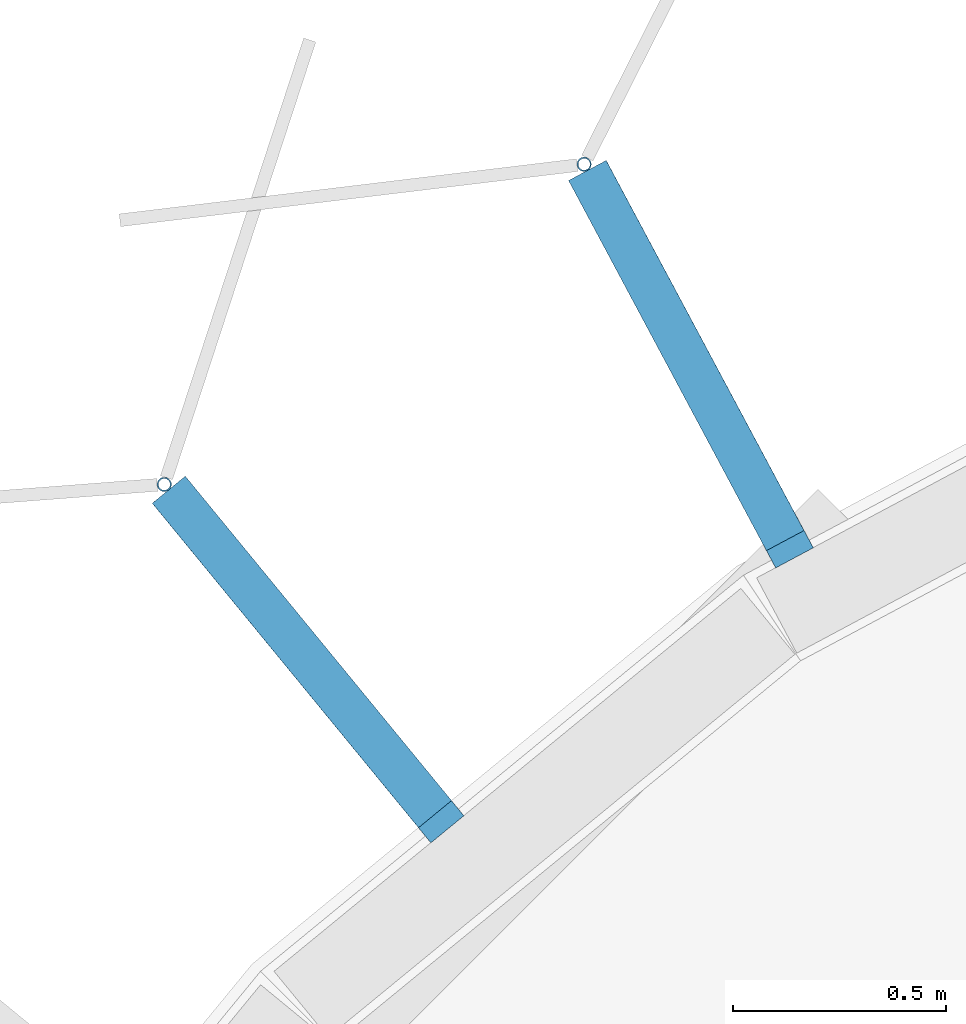
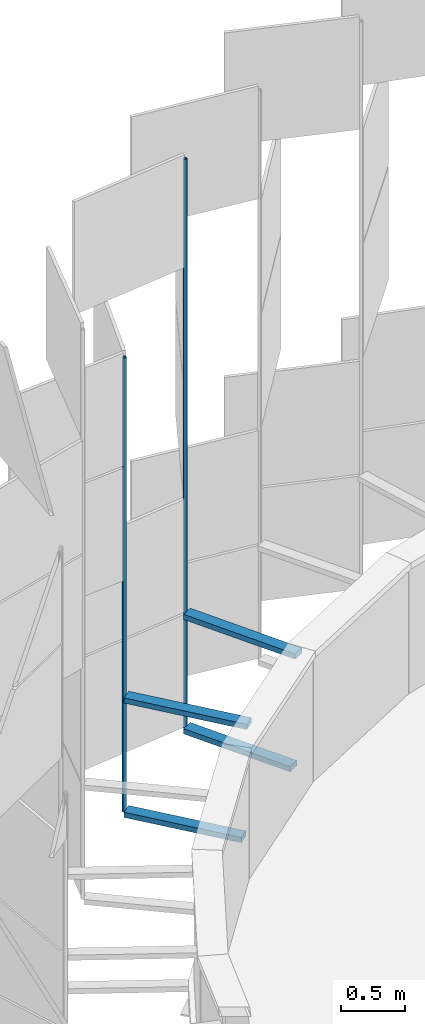
# One storey, part 331 of 483: 6 discrete accessories.
"""IFC4 building model written with IfcOpenShell, lengths in metres."""

from ifc_helpers import new_model, si_unit, direction, frame, origin, origin_2d, place, context, subcontext, project, spatial, rectangle, hollow_circle, extrude, material, material_profile, profile_set, type_object, element, save


model = new_model("IFC4")

# Units and contexts
model_context = context("Model", 3, precision=1e-05, world=origin(), true_north=direction((0.0, 1.0)))
body_context = subcontext(model_context, "Body", "Model", "MODEL_VIEW")
ifc_project = project(units=[si_unit("LENGTHUNIT", "METRE"), si_unit("AREAUNIT", "SQUARE_METRE"), si_unit("VOLUMEUNIT", "CUBIC_METRE"), si_unit("PLANEANGLEUNIT", "RADIAN"), si_unit("MASSUNIT", "GRAM", prefix="KILO")], contexts=[model_context])

# Site, building, storey
site_placement = place(None, origin())
site = spatial("IfcSite", under=ifc_project, at=site_placement, CompositionType="ELEMENT")
building_placement = place(site_placement, origin())
building = spatial("IfcBuilding", under=site, at=building_placement, Name="Parallax Yard Mobility Hub", CompositionType="ELEMENT")
storey_placement = place(building_placement, frame((0.0, 0.0, 13.199951171875)))
storey = spatial("IfcBuildingStorey", under=building, at=storey_placement, Name="L04", CompositionType="ELEMENT", Elevation=13.199951171875)

# Discrete accessories
ifc_material_1 = material(Name="Steel ASTM A36, hot-dip galvanised", Category="steel")
discrete_accessory_type_1 = type_object("IfcDiscreteAccessoryType", Name="Hinge bracket plate 100x50", PredefinedType="BRACKET", material=ifc_material_1)
discrete_accessory_1_placement = place(storey_placement, frame((25.715087890625, 141.730224609375, -0.02490234375), z_axis=(0.0, 0.0, 1.0), x_axis=(-0.471396736826, 0.881921264348, 0.0)))
element("IfcDiscreteAccessory", 1, at=discrete_accessory_1_placement, inside=storey, type_object=discrete_accessory_type_1, Name="Hinge bracket plate bay 70.5 level L04", PredefinedType="BRACKET", context=body_context, shape_type="SweptSolid", body=[
    extrude(rectangle(XDim=0.984130859375, YDim=0.10009765625, at=origin_2d()), origin(), (0.0, 0.0, 1.0), 0.050048828125),
])
discrete_accessory_2_placement = place(storey_placement, frame((25.72607421875, 141.7099609375, 1.06982421875), z_axis=(0.0, 0.0, 1.0), x_axis=(-0.471396736826, 0.881921264348, 0.0)))
element("IfcDiscreteAccessory", 2, at=discrete_accessory_2_placement, inside=storey, type_object=discrete_accessory_type_1, Name="Hinge bracket plate bay 70.5 level L04", PredefinedType="BRACKET", context=body_context, shape_type="SweptSolid", body=[
    extrude(rectangle(XDim=1.030029296875, YDim=0.10009765625, at=origin_2d()), origin(), (0.0, 0.0, 1.0), 0.050048828125),
])
discrete_accessory_3_placement = place(storey_placement, frame((24.813720703125, 141.03515625, -0.02490234375), z_axis=(0.0, 0.0, 1.0), x_axis=(-0.634393284164, 0.773010453363, 0.0)))
element("IfcDiscreteAccessory", 3, at=discrete_accessory_3_placement, inside=storey, type_object=discrete_accessory_type_1, Name="Hinge bracket plate bay 70.6 level L04", PredefinedType="BRACKET", context=body_context, shape_type="SweptSolid", body=[
    extrude(rectangle(XDim=0.984130859375, YDim=0.10009765625, at=origin_2d()), origin(), (0.0, 0.0, 1.0), 0.050048828125),
])
discrete_accessory_4_placement = place(storey_placement, frame((24.828125, 141.017333984375, 1.06982421875), z_axis=(0.0, 0.0, 1.0), x_axis=(-0.634393284164, 0.773010453363, 0.0)))
element("IfcDiscreteAccessory", 4, at=discrete_accessory_4_placement, inside=storey, type_object=discrete_accessory_type_1, Name="Hinge bracket plate bay 70.6 level L04", PredefinedType="BRACKET", context=body_context, shape_type="SweptSolid", body=[
    extrude(rectangle(XDim=1.030029296875, YDim=0.10009765625, at=origin_2d()), origin(), (0.0, 0.0, 1.0), 0.050048828125),
])
ifc_material_2 = material(Name="Steel ASTM A500 Gr C, hot-dip galvanised", Category="steel")
ifc_material_profile = material_profile(ifc_material_2, hollow_circle(Radius=0.016845703125, WallThickness=0.003173828125, at=origin_2d()), Name="CHS 33.7x3.2")
ifc_profile_set = profile_set([ifc_material_profile], Name="Steel ASTM A500 Gr C, hot-dip galvanised")
discrete_accessory_type_2 = type_object("IfcDiscreteAccessoryType", Name="Hinge post CHS 33.7x3.2", PredefinedType="BRACKET", material=ifc_profile_set)
discrete_accessory_5_placement = place(storey_placement, frame((25.4755859375, 142.1787109375, 0.0), z_axis=(0.0, 0.0, 1.0), x_axis=(1.0, 0.0, 0.0)))
element("IfcDiscreteAccessory", 5, at=discrete_accessory_5_placement, inside=storey, type_object=discrete_accessory_type_2, Name="Hinge post bay 70.5 level L04", PredefinedType="BRACKET", context=body_context, shape_type="SweptSolid", body=[
    extrude(hollow_circle(Radius=0.016845703125, WallThickness=0.003173828125, at=origin_2d()), origin(), (0.0, 0.0, 1.0), 5.449951171875),
])
discrete_accessory_6_placement = place(storey_placement, frame((24.490966796875, 141.427978515625, 0.0), z_axis=(0.0, 0.0, 1.0), x_axis=(1.0, 0.0, 0.0)))
element("IfcDiscreteAccessory", 6, at=discrete_accessory_6_placement, inside=storey, type_object=discrete_accessory_type_2, Name="Hinge post bay 70.6 level L04", PredefinedType="BRACKET", context=body_context, shape_type="SweptSolid", body=[
    extrude(hollow_circle(Radius=0.016845703125, WallThickness=0.003173828125, at=origin_2d()), origin(), (0.0, 0.0, 1.0), 4.35009765625),
])

save(model, "model.ifc")
